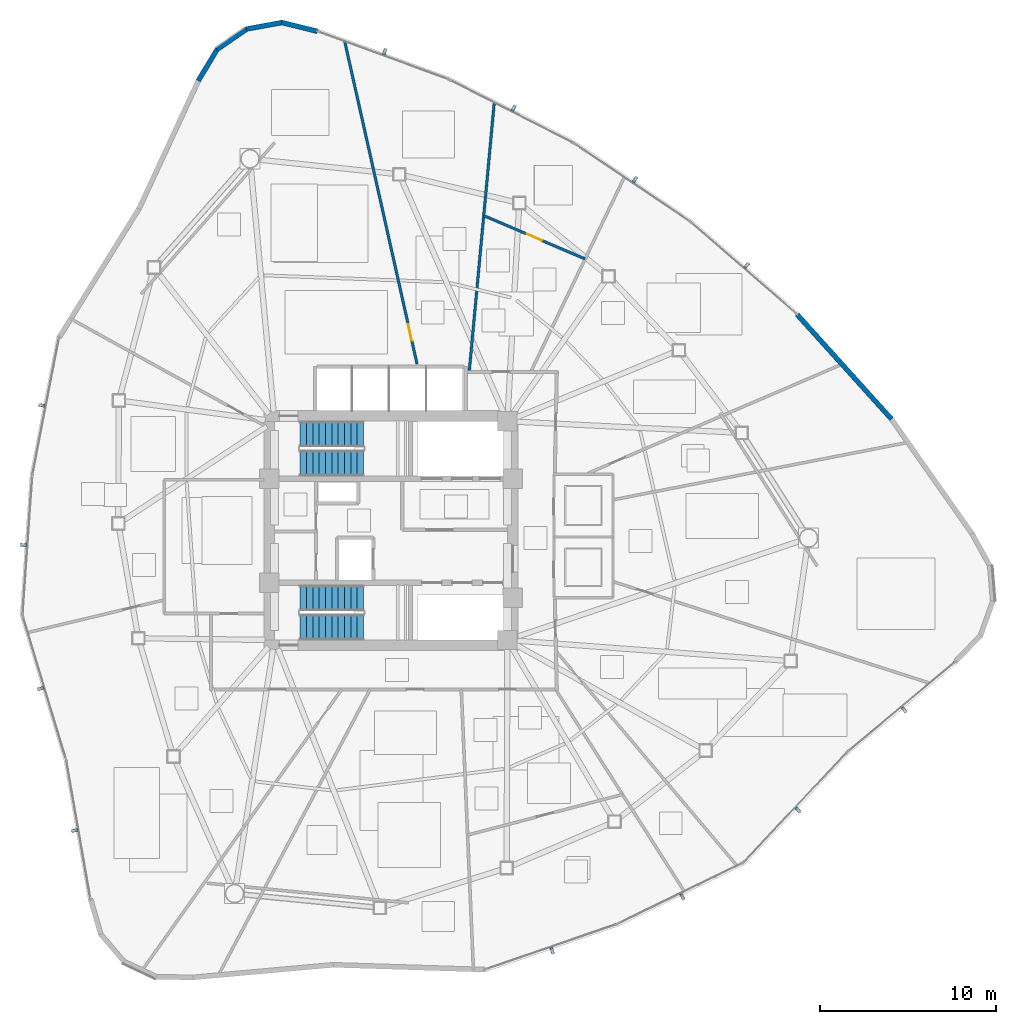
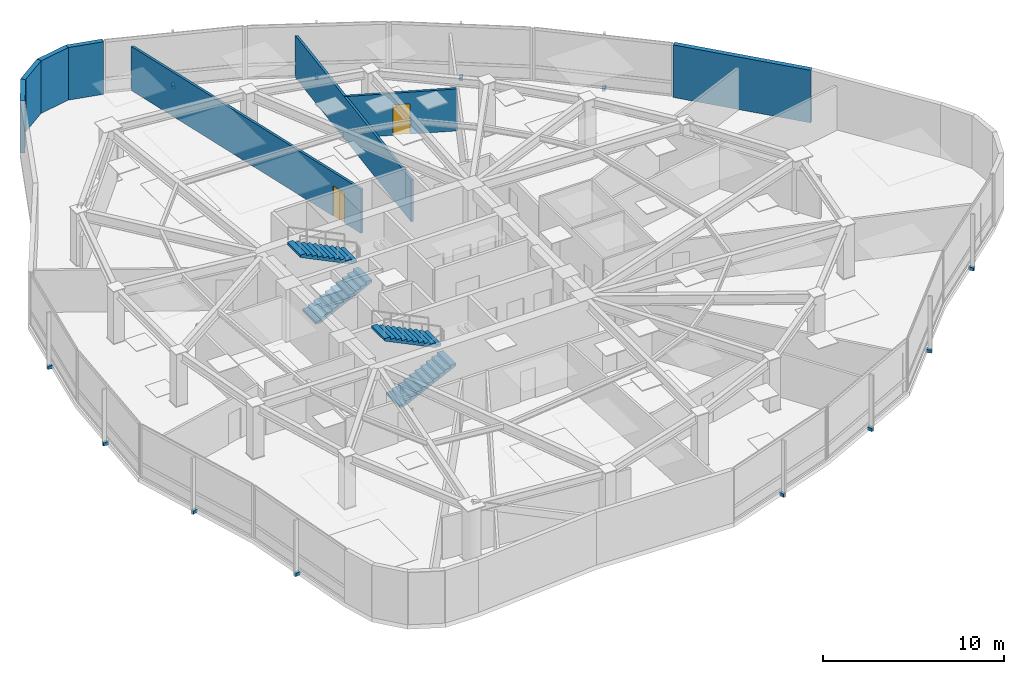
# One storey, part 13 of 17: 12 discrete accessories, 8 walls, 4 stair flights, 2 doors, 2 openings, 2 elements without a shape of their own.
"""IFC4 building model written with IfcOpenShell, lengths in metres."""

from ifc_helpers import new_model, si_unit, direction, frame, frame_2d, origin, origin_2d, place, context, subcontext, project, spatial, polyline, rectangle, outline, extrude, source, transform, mapped, material, layer, layer_set, type_object, type_shapes, element, fill, aggregate, save


model = new_model("IFC4")

# Units and contexts
model_context = context("Model", 3, precision=1e-05, world=origin(), true_north=direction((0.0, 1.0)))
body_context = subcontext(model_context, "Body", "Model", "MODEL_VIEW")
ifc_project = project(units=[si_unit("LENGTHUNIT", "METRE"), si_unit("AREAUNIT", "SQUARE_METRE"), si_unit("VOLUMEUNIT", "CUBIC_METRE"), si_unit("PLANEANGLEUNIT", "RADIAN"), si_unit("MASSUNIT", "GRAM", prefix="KILO")], contexts=[model_context])

# Site, building, storey
site_placement = place(None, origin())
site = spatial("IfcSite", under=ifc_project, at=site_placement, CompositionType="ELEMENT")
building_placement = place(site_placement, origin())
building = spatial("IfcBuilding", under=site, at=building_placement, Name="Tavelor Broadcast Tower", CompositionType="ELEMENT")
storey_placement = place(building_placement, frame((0.0, 0.0, 127.14990234375)))
storey = spatial("IfcBuildingStorey", under=building, at=storey_placement, Name="L29", CompositionType="ELEMENT", Elevation=127.14990234375)

# Walls
ifc_material_1 = material(Name="Precast Concrete C40/50", Category="concrete")
ifc_layer_1 = layer(ifc_material_1, 0.280029296875)
ifc_layer_set_1 = layer_set([ifc_layer_1], Name="Precast Concrete C40/50")
wall_type_1 = type_object("IfcWallType", Name="Insulated Precast Terracotta Facade Wall 280 mm", PredefinedType="STANDARD", material=ifc_layer_set_1)
wall_1_placement = place(storey_placement, frame((45.8291015625, 73.307373046875, 0.0), z_axis=(0.0, 0.0, 1.0), x_axis=(-0.970527942711, 0.240988614706, 0.0)))
element("IfcWall", 1, at=wall_1_placement, inside=storey, type_object=wall_type_1, Name="L29 Rounded Corner Structural Cladding Pier 01", PredefinedType="STANDARD", context=body_context, shape_type="SweptSolid", body=[
    extrude(rectangle(XDim=2.079833984375, YDim=0.280029296875, at=frame_2d((1.0400390625, 0.0))), origin(), (0.0, 0.0, 1.0), 3.550048828125),
])
wall_2_placement = place(storey_placement, frame((43.840087890625, 73.807861328125, 0.0), z_axis=(0.0, 0.0, 1.0), x_axis=(-0.983729852677, -0.179654047969, 0.0)))
element("IfcWall", 2, at=wall_2_placement, inside=storey, type_object=wall_type_1, Name="L29 Rounded Corner Structural Cladding Pier 02", PredefinedType="STANDARD", context=body_context, shape_type="SweptSolid", body=[
    extrude(rectangle(XDim=2.068359375, YDim=0.280029296875, at=frame_2d((1.0341796875, 0.0))), origin(), (0.0, 0.0, 1.0), 3.550048828125),
])
wall_3_placement = place(storey_placement, frame((41.83251953125, 73.447509765625, 0.0), z_axis=(0.0, 0.0, 1.0), x_axis=(-0.822578736654, -0.568651230549, 0.0)))
element("IfcWall", 3, at=wall_3_placement, inside=storey, type_object=wall_type_1, Name="L29 Rounded Corner Structural Cladding Pier 03", PredefinedType="STANDARD", context=body_context, shape_type="SweptSolid", body=[
    extrude(rectangle(XDim=2.068115234375, YDim=0.280029296875, at=frame_2d((1.0341796875, 0.0))), origin(), (0.0, 0.0, 1.0), 3.550048828125),
])
wall_4_placement = place(storey_placement, frame((40.1513671875, 72.29296875, 0.0), z_axis=(0.0, 0.0, 1.0), x_axis=(-0.515765905159, -0.856729555388, 0.0)))
element("IfcWall", 4, at=wall_4_placement, inside=storey, type_object=wall_type_1, Name="L29 Rounded Corner Structural Cladding Pier 04", PredefinedType="STANDARD", context=body_context, shape_type="SweptSolid", body=[
    extrude(rectangle(XDim=2.0908203125, YDim=0.280029296875, at=frame_2d((1.04541015625, 0.0))), origin(), (0.0, 0.0, 1.0), 3.550048828125),
])
wall_5_placement = place(storey_placement, frame((78.3798828125, 51.3251953125, 0.0), z_axis=(0.0, 0.0, 1.0), x_axis=(-0.670078304424, 0.742290418866, 0.0)))
element("IfcWall", 5, at=wall_5_placement, inside=storey, type_object=wall_type_1, Name="L29 Rounded Corner Structural Cladding Pier 26", PredefinedType="STANDARD", context=body_context, shape_type="SweptSolid", body=[
    extrude(rectangle(XDim=7.989013671875, YDim=0.280029296875, at=frame_2d((3.99462890625, 0.0))), origin(), (0.0, 0.0, 1.0), 3.550048828125),
])
ifc_material_2 = material(Name="Gypsum Acoustic Plasterboard 150 mm", Category="gypsum")
ifc_layer_2 = layer(ifc_material_2, 0.14990234375)
ifc_layer_set_2 = layer_set([ifc_layer_2], Name="Gypsum Acoustic Plasterboard 150 mm")
wall_type_2 = type_object("IfcWallType", Name="Interior Acoustic Partition Wall 150 mm", PredefinedType="PARTITIONING", material=ifc_layer_set_2)
wall_6_placement = place(storey_placement, frame((54.437255859375, 54.0, 0.0), z_axis=(0.0, 0.0, 1.0), x_axis=(0.092609058271, 0.995702547112, 0.0)))
element("IfcWall", 6, at=wall_6_placement, inside=storey, type_object=wall_type_2, Name="L29 Radial Compartment Wall 07", PredefinedType="PARTITIONING", context=body_context, shape_type="SweptSolid", body=[
    extrude(rectangle(XDim=15.34033203125, YDim=0.14990234375, at=frame_2d((7.670166015625, 0.0))), origin(), (0.0, 0.0, 1.0), 2.835205078125),
])

# Wall, opening, door
wall_7_placement = place(storey_placement, frame((51.480712890625, 54.449951171875, 0.0), z_axis=(0.0, 0.0, 1.0), x_axis=(-0.218833477921, 0.975762219468, 0.0)))
wall_7 = element("IfcWall", 7, at=wall_7_placement, inside=storey, type_object=wall_type_2, Name="L29 Radial Compartment Wall 08", PredefinedType="PARTITIONING", context=body_context, shape_type="SweptSolid", body=[
    extrude(rectangle(XDim=18.755126953125, YDim=0.14990234375, at=frame_2d((9.37744140625, 0.0))), origin(), (0.0, 0.0, 1.0), 2.97509765625),
])
opening_1_placement = place(wall_7_placement, frame((1.35009765625, 0.0, 0.0)))
opening_1 = element("IfcOpeningElement", 8, at=opening_1_placement, cuts=wall_7, Name="Opening DR18", PredefinedType="OPENING", context=body_context, shape_type="SweptSolid", body=[
    extrude(rectangle(XDim=0.949951171875, YDim=2.050048828125, at=frame_2d((0.47509765625, 1.02490234375))), frame((0.0, 0.0849609375, 0.0), z_axis=(0.0, -1.0, 0.0), x_axis=(1.0, 0.0, 0.0)), (0.0, 0.0, 1.0), 0.169921875),
])
ifc_material_3 = material(Name="Timber Solid Core Hardwood", Category="wood")
door_type_1 = type_object("IfcDoorType", Name="Corridor Rated Compartment Door 950x2050", OperationType="NOTDEFINED", PredefinedType="DOOR", material=ifc_material_3)
door_1_placement = place(opening_1_placement, origin())
door_1 = element("IfcDoor", 9, at=door_1_placement, inside=storey, type_object=door_type_1, Name="L29 Suite Connecting Door 8", OperationType="SINGLE_SWING_RIGHT", OverallHeight=2.050048828125, OverallWidth=0.949951171875, PredefinedType="DOOR", context=body_context, shape_type="SweptSolid", body=[
    extrude(rectangle(XDim=0.949951171875, YDim=2.050048828125, at=frame_2d((0.47509765625, 1.02490234375))), frame((0.0, 0.02490234375, 0.0), z_axis=(0.0, -1.0, 0.0), x_axis=(1.0, 0.0, 0.0)), (0.0, 0.0, 1.0), 0.050048828125),
])
fill(opening_1, door_1)

wall_8_placement = place(storey_placement, frame((61.005859375, 60.4033203125, 0.0), z_axis=(0.0, 0.0, 1.0), x_axis=(-0.919502415625, 0.393084351839, 0.0)))
wall_8 = element("IfcWall", 10, at=wall_8_placement, inside=storey, type_object=wall_type_2, Name="L29 Suite Chord Partition Wall 02", PredefinedType="PARTITIONING", context=body_context, shape_type="SweptSolid", body=[
    extrude(rectangle(XDim=6.24755859375, YDim=0.14990234375, at=frame_2d((3.123779296875, 0.0))), origin(), (0.0, 0.0, 1.0), 2.835205078125),
])
opening_2_placement = place(wall_8_placement, frame((2.648681640625, 0.0, 0.0)))
opening_2 = element("IfcOpeningElement", 11, at=opening_2_placement, cuts=wall_8, Name="Opening DR23", PredefinedType="OPENING", context=body_context, shape_type="SweptSolid", body=[
    extrude(rectangle(XDim=0.949951171875, YDim=2.050048828125, at=frame_2d((0.47509765625, 1.02490234375))), frame((0.0, 0.0849609375, 0.0), z_axis=(0.0, -1.0, 0.0), x_axis=(1.0, 0.0, 0.0)), (0.0, 0.0, 1.0), 0.169921875),
])
door_type_2 = type_object("IfcDoorType", Name="Editorial Room Acoustic Door 950x2050", OperationType="NOTDEFINED", PredefinedType="DOOR", material=ifc_material_3)
door_2_placement = place(opening_2_placement, origin())
door_2 = element("IfcDoor", 12, at=door_2_placement, inside=storey, type_object=door_type_2, Name="L29 Outer Suite Partition Door 2", OperationType="SINGLE_SWING_LEFT", OverallHeight=2.050048828125, OverallWidth=0.949951171875, PredefinedType="DOOR", context=body_context, shape_type="SweptSolid", body=[
    extrude(rectangle(XDim=0.949951171875, YDim=2.050048828125, at=frame_2d((0.47509765625, 1.02490234375))), frame((0.0, 0.02490234375, 0.0), z_axis=(0.0, -1.0, 0.0), x_axis=(1.0, 0.0, 0.0)), (0.0, 0.0, 1.0), 0.050048828125),
])
fill(opening_2, door_2)

# Stair, stair flights
ifc_material_4 = material(Name="Concrete C40/50", Category="concrete")
stair_type = type_object("IfcStairType", Name="Reinforced Concrete Protected Dogleg Stair 1450 mm", PredefinedType="HALF_TURN_STAIR", material=ifc_material_4)
stair_1_placement = place(storey_placement, origin())
stair_1 = element("IfcStair", 13, at=stair_1_placement, inside=storey, type_object=stair_type, Name="L29 Protected Core Exit Stair ST1", PredefinedType="HALF_TURN_STAIR")
stair_flight_type = type_object("IfcStairFlightType", Name="Reinforced Concrete Stair Flight 1450 mm", PredefinedType="STRAIGHT", material=ifc_material_4)
stair_flight_1_placement = place(storey_placement, frame((44.85009765625, 48.824951171875, 0.0), z_axis=(0.0, 0.0, 1.0), x_axis=(1.0, 0.0, 0.0)))
stair_flight_1 = element("IfcStairFlight", 14, at=stair_flight_1_placement, type_object=stair_flight_type, Name="ST1 flight 1", NumberOfRisers=11, NumberOfTreads=10, PredefinedType="STRAIGHT", RiserHeight=0.175, TreadLength=0.36, context=body_context, shape_type="SweptSolid", body=[
    extrude(outline(polyline([(0.0, 0.0), (0.0, 0.175048828125), (0.360107421875, 0.175048828125), (0.360107421875, 0.35009765625), (0.719970703125, 0.35009765625), (0.719970703125, 0.52490234375), (1.080078125, 0.52490234375), (1.080078125, 0.699951171875), (1.43994140625, 0.699951171875), (1.43994140625, 0.875), (1.800048828125, 0.875), (1.800048828125, 1.050048828125), (2.159912109375, 1.050048828125), (2.159912109375, 1.22509765625), (2.52001953125, 1.22509765625), (2.52001953125, 1.39990234375), (2.8798828125, 1.39990234375), (2.8798828125, 1.574951171875), (3.239990234375, 1.574951171875), (3.239990234375, 1.75), (3.60009765625, 1.75), (3.60009765625, 1.925048828125), (3.60009765625, 1.583251953125), (0.3427734375, 0.0), (0.0, 0.0)])), frame((0.0, 0.72509765625, 0.0), z_axis=(0.0, -1.0, 0.0), x_axis=(1.0, 0.0, 0.0)), (0.0, 0.0, 1.0), 1.449951171875),
])
stair_flight_2_placement = place(storey_placement, frame((48.449951171875, 50.47509765625, 1.925048828125), z_axis=(0.0, 0.0, 1.0), x_axis=(-1.0, 0.0, 0.0)))
stair_flight_2 = element("IfcStairFlight", 15, at=stair_flight_2_placement, type_object=stair_flight_type, Name="ST1 flight 2", NumberOfRisers=11, NumberOfTreads=10, PredefinedType="STRAIGHT", RiserHeight=0.175, TreadLength=0.36, context=body_context, shape_type="SweptSolid", body=[
    extrude(outline(polyline([(0.0, 0.0), (0.0, 0.175048828125), (0.360107421875, 0.175048828125), (0.360107421875, 0.35009765625), (0.719970703125, 0.35009765625), (0.719970703125, 0.52490234375), (1.080078125, 0.52490234375), (1.080078125, 0.699951171875), (1.43994140625, 0.699951171875), (1.43994140625, 0.875), (1.800048828125, 0.875), (1.800048828125, 1.050048828125), (2.159912109375, 1.050048828125), (2.159912109375, 1.22509765625), (2.52001953125, 1.22509765625), (2.52001953125, 1.39990234375), (2.8798828125, 1.39990234375), (2.8798828125, 1.574951171875), (3.239990234375, 1.574951171875), (3.239990234375, 1.75), (3.60009765625, 1.75), (3.60009765625, 1.925048828125), (3.60009765625, 1.583251953125), (0.3427734375, 0.0), (0.0, 0.0)])), frame((0.0, 0.72509765625, 0.0), z_axis=(0.0, -1.0, 0.0), x_axis=(1.0, 0.0, 0.0)), (0.0, 0.0, 1.0), 1.449951171875),
])
aggregate(stair_1, [stair_flight_1, stair_flight_2])

stair_2_placement = place(storey_placement, origin())
stair_2 = element("IfcStair", 16, at=stair_2_placement, inside=storey, type_object=stair_type, Name="L29 Protected Core Exit Stair ST2", PredefinedType="HALF_TURN_STAIR")
stair_flight_3_placement = place(storey_placement, frame((44.85009765625, 39.52490234375, 0.0), z_axis=(0.0, 0.0, 1.0), x_axis=(1.0, 0.0, 0.0)))
stair_flight_3 = element("IfcStairFlight", 17, at=stair_flight_3_placement, type_object=stair_flight_type, Name="ST2 flight 1", NumberOfRisers=11, NumberOfTreads=10, PredefinedType="STRAIGHT", RiserHeight=0.175, TreadLength=0.36, context=body_context, shape_type="SweptSolid", body=[
    extrude(outline(polyline([(0.0, 0.0), (0.0, 0.175048828125), (0.360107421875, 0.175048828125), (0.360107421875, 0.35009765625), (0.719970703125, 0.35009765625), (0.719970703125, 0.52490234375), (1.080078125, 0.52490234375), (1.080078125, 0.699951171875), (1.43994140625, 0.699951171875), (1.43994140625, 0.875), (1.800048828125, 0.875), (1.800048828125, 1.050048828125), (2.159912109375, 1.050048828125), (2.159912109375, 1.22509765625), (2.52001953125, 1.22509765625), (2.52001953125, 1.39990234375), (2.8798828125, 1.39990234375), (2.8798828125, 1.574951171875), (3.239990234375, 1.574951171875), (3.239990234375, 1.75), (3.60009765625, 1.75), (3.60009765625, 1.925048828125), (3.60009765625, 1.583251953125), (0.3427734375, 0.0), (0.0, 0.0)])), frame((0.0, 0.72509765625, 0.0), z_axis=(0.0, -1.0, 0.0), x_axis=(1.0, 0.0, 0.0)), (0.0, 0.0, 1.0), 1.449951171875),
])
stair_flight_4_placement = place(storey_placement, frame((48.449951171875, 41.175048828125, 1.925048828125), z_axis=(0.0, 0.0, 1.0), x_axis=(-1.0, 0.0, 0.0)))
stair_flight_4 = element("IfcStairFlight", 18, at=stair_flight_4_placement, type_object=stair_flight_type, Name="ST2 flight 2", NumberOfRisers=11, NumberOfTreads=10, PredefinedType="STRAIGHT", RiserHeight=0.175, TreadLength=0.36, context=body_context, shape_type="SweptSolid", body=[
    extrude(outline(polyline([(0.0, 0.0), (0.0, 0.175048828125), (0.360107421875, 0.175048828125), (0.360107421875, 0.35009765625), (0.719970703125, 0.35009765625), (0.719970703125, 0.52490234375), (1.080078125, 0.52490234375), (1.080078125, 0.699951171875), (1.43994140625, 0.699951171875), (1.43994140625, 0.875), (1.800048828125, 0.875), (1.800048828125, 1.050048828125), (2.159912109375, 1.050048828125), (2.159912109375, 1.22509765625), (2.52001953125, 1.22509765625), (2.52001953125, 1.39990234375), (2.8798828125, 1.39990234375), (2.8798828125, 1.574951171875), (3.239990234375, 1.574951171875), (3.239990234375, 1.75), (3.60009765625, 1.75), (3.60009765625, 1.925048828125), (3.60009765625, 1.583251953125), (0.3427734375, 0.0), (0.0, 0.0)])), frame((0.0, 0.72509765625, 0.0), z_axis=(0.0, -1.0, 0.0), x_axis=(1.0, 0.0, 0.0)), (0.0, 0.0, 1.0), 1.449951171875),
])
aggregate(stair_2, [stair_flight_3, stair_flight_4])

# Discrete accessories
ifc_material_5 = material(Name="Steel S355", Category="steel")
discrete_accessory_type = type_object("IfcDiscreteAccessoryType", Name="Stainless Baguette Outrigger Support Bracket 260x180", PredefinedType="BRACKET", material=ifc_material_5)
shared_shape = source(origin(), body_context, "Body", "SweptSolid", [
    extrude(rectangle(XDim=0.179931640625, YDim=0.340087890625, at=origin_2d()), origin(), (0.0, 0.0, 1.0), 0.216064453125),
])
type_shapes(discrete_accessory_type, [shared_shape])
for number, where, z_axis, x_axis, name in (
    (19, (30.218017578125, 52.103759765625, -0.2578125), (0.0, 0.0, 1.0), (-0.190466331231, -0.981693728546, 0.0), "L29 Baguette Outrigger Bracket 277"),
    (20, (29.176025390625, 44.18994140625, -0.2578125), (0.0, 0.0, 1.0), (-0.070104685031, -0.997539639882, 0.0), "L29 Baguette Outrigger Bracket 278"),
    (21, (30.143798828125, 36.05224609375, -0.2578125), (0.0, 0.0, 1.0), (0.288864708771, -0.957369928516, 0.0), "L29 Baguette Outrigger Bracket 279"),
    (22, (32.0712890625, 28.001708984375, -0.2578125), (0.0, 0.0, 1.0), (0.171585221787, -0.985169280715, 0.0), "L29 Baguette Outrigger Bracket 280"),
    (23, (59.138916015625, 21.198486328125, -0.2578125), (0.0, 0.0, 1.0), (0.945404873273, 0.325898182861, 0.0), "L29 Baguette Outrigger Bracket 281"),
    (24, (66.513427734375, 24.253173828125, -0.2578125), (0.0, 0.0, 1.0), (0.898947011936, 0.43805738178, 0.0), "L29 Baguette Outrigger Bracket 282"),
    (25, (73.0771484375, 29.16015625, -0.2578125), (0.0, 0.0, 1.0), (0.684674324529, 0.72884914031, 0.0), "L29 Baguette Outrigger Bracket 283"),
    (26, (79.085205078125, 34.854736328125, -0.2578125), (0.0, 0.0, 1.0), (0.767389013234, 0.641181801339, 0.0), "L29 Baguette Outrigger Bracket 284"),
    (27, (70.164794921875, 60.031494140625, -0.2578125), (0.0, 0.0, 1.0), (-0.754938542041, 0.655795545685, 0.0), "L29 Baguette Outrigger Bracket 285"),
    (28, (63.83203125, 64.890869140625, -0.2578125), (0.0, 0.0, 1.0), (-0.828842326905, 0.559482258102, 0.0), "L29 Baguette Outrigger Bracket 286"),
    (29, (56.9580078125, 68.947998046875, -0.2578125), (0.0, 0.0, 1.0), (-0.890451205327, 0.455078730475, 0.0), "L29 Baguette Outrigger Bracket 287"),
    (30, (49.6435546875, 72.1435546875, -0.2578125), (0.0, 0.0, 1.0), (-0.938974235021, 0.343987479376, 0.0), "L29 Baguette Outrigger Bracket 288"),
):
    element("IfcDiscreteAccessory", number, at=place(storey_placement, frame(where, z_axis=z_axis, x_axis=x_axis)), inside=storey, type_object=discrete_accessory_type, Name=name, PredefinedType="BRACKET", context=body_context, shape_type="MappedRepresentation", body=[
        mapped(shared_shape, transform((0.0, 0.0, 0.0), scale=1.0)),
    ])

save(model, "model.ifc")
